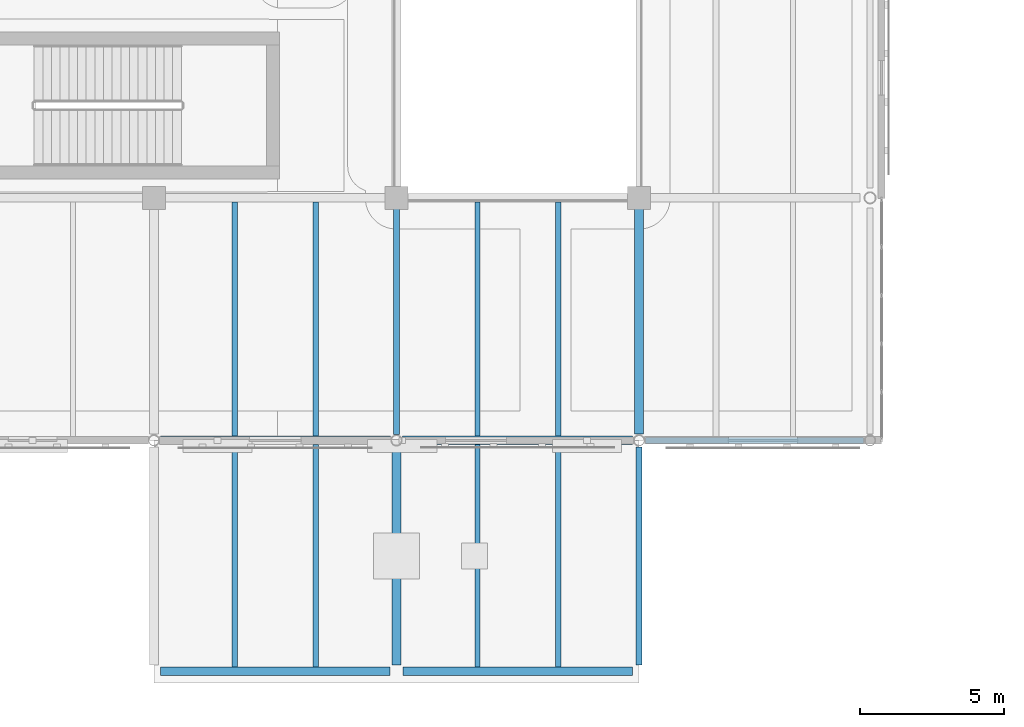
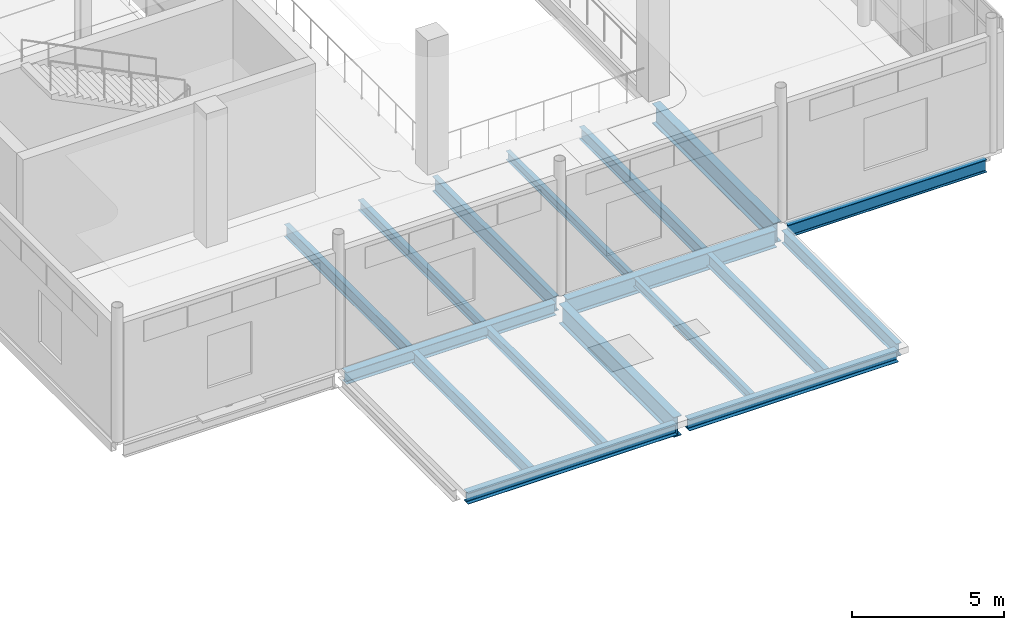
# One storey, part 35 of 110: 17 beams.
"""IFC4 building model written with IfcOpenShell, lengths in metres."""

import ifcopenshell
import ifcopenshell.guid

model = None  # the IFC model being written
_history = None  # IfcOwnerHistory: only IFC2X3 demands one
_inside = {}  # id of a spatial element -> (the spatial element, [elements in it])
_under = {}  # id of a project, library or spatial element -> (it, [spatial elements below it])
_declared = {}  # id of a project -> (the project, [libraries it declares])
_typed = {}  # id of a type object -> (the type object, [elements of that type])
_made_of = {}  # id of a material, layer set ... -> (it, [elements and type objects made of it])


def new_model(schema):
    """Start an empty IFC model of exactly this schema.

    Asked for "IFC4X3", IfcOpenShell would pick the latest addendum, in which some entities
    have other attributes; the version numbers below select the first issue.
    IFC2X3 requires an IfcOwnerHistory on every rooted entity: one is made here for all.
    """
    global model, _history
    if schema == "IFC4X3":
        model = ifcopenshell.file(schema_version=(4, 3, 0, 0))
    else:
        model = ifcopenshell.file(schema=schema)
    _inside.clear()
    _under.clear()
    _declared.clear()
    _typed.clear()
    _made_of.clear()
    _history = None
    if model.schema == "IFC2X3":
        org = make("IfcOrganization", Name="unknown")
        user = make(
            "IfcPersonAndOrganization",
            ThePerson=make("IfcPerson", FamilyName="unknown"),
            TheOrganization=org,
        )
        app = make(
            "IfcApplication",
            ApplicationDeveloper=org,
            Version="unknown",
            ApplicationFullName="unknown",
            ApplicationIdentifier="unknown",
        )
        _history = make(
            "IfcOwnerHistory",
            OwningUser=user,
            OwningApplication=app,
            ChangeAction="ADDED",
            CreationDate=0,
        )
    return model


def make(cls, **values):
    """One entity of the class cls with the attributes given. An attribute that is None is left unset."""
    return model.create_entity(
        cls, **{name: value for name, value in values.items() if value is not None}
    )


def rooted(cls, **values):
    """An entity with a GlobalId (a new one), such as an element, a storey or a relation."""
    return make(cls, GlobalId=ifcopenshell.guid.new(), OwnerHistory=_history, **values)


def si_unit(unit_type, name, prefix=None):
    """IfcSIUnit, for example si_unit("LENGTHUNIT", "METRE", prefix="MILLI")."""
    return make("IfcSIUnit", UnitType=unit_type, Prefix=prefix, Name=name)


def assignment(units):
    """IfcUnitAssignment: the units of a project."""
    return None if units is None else make("IfcUnitAssignment", Units=units)


def point(xyz):
    """IfcCartesianPoint."""
    return None if xyz is None else make("IfcCartesianPoint", Coordinates=xyz)


def direction(xyz):
    """IfcDirection."""
    return None if xyz is None else make("IfcDirection", DirectionRatios=xyz)


def frame(location, z_axis=None, x_axis=None):
    """IfcAxis2Placement3D, a coordinate frame: its origin and axes. An axis left out is left unset."""
    return make(
        "IfcAxis2Placement3D",
        Location=point(location),
        Axis=direction(z_axis),
        RefDirection=direction(x_axis),
    )


def frame_2d(location, x_axis=None):
    """IfcAxis2Placement2D, a coordinate frame in the plane: its origin and x axis."""
    return make(
        "IfcAxis2Placement2D", Location=point(location), RefDirection=direction(x_axis)
    )


def origin():
    """The frame at (0, 0, 0) with its axes left unset."""
    return frame((0.0, 0.0, 0.0))


def origin_2d():
    """The frame at (0, 0) in the plane with its x axis left unset."""
    return frame_2d((0.0, 0.0))


def place(relative_to, where):
    """IfcLocalPlacement: puts the frame where relative to a parent placement (None: the world)."""
    return make(
        "IfcLocalPlacement", PlacementRelTo=relative_to, RelativePlacement=where
    )


def context(
    kind, dimensions, precision=None, world=None, true_north=None, identifier=None
):
    """IfcGeometricRepresentationContext, for example the 3D "Model" context."""
    return make(
        "IfcGeometricRepresentationContext",
        ContextIdentifier=identifier,
        ContextType=kind,
        CoordinateSpaceDimension=dimensions,
        Precision=precision,
        WorldCoordinateSystem=world,
        TrueNorth=true_north,
    )


def subcontext(parent, identifier, kind, view, scale=None):
    """IfcGeometricRepresentationSubContext, for example "Body" below "Model"."""
    return make(
        "IfcGeometricRepresentationSubContext",
        ContextIdentifier=identifier,
        ContextType=kind,
        ParentContext=parent,
        TargetScale=scale,
        TargetView=view,
    )


def project(units=None, contexts=None):
    """IfcProject with its units and contexts."""
    return rooted(
        "IfcProject",
        Name="project",
        RepresentationContexts=contexts,
        UnitsInContext=assignment(units),
    )


def spatial(cls, under=None, at=None, **own):
    """A site, building, storey or space (cls), placed at a placement, below another one or the project."""
    s = rooted(cls, ObjectPlacement=at, **own)
    if under is not None:
        _under.setdefault(under.id(), (under, []))[1].append(s)
    return s


def profile(cls, at=None, kind="AREA", **sizes):
    """A parametric profile (cls). Its sizes go by their IFC names, for example OverallWidth=200.0."""
    return make(cls, ProfileType=kind, Position=at, **sizes)


def i_section(**sizes):
    """IfcIShapeProfileDef."""
    return profile("IfcIShapeProfileDef", **sizes)


def extrude(swept, where, along, depth):
    """IfcExtrudedAreaSolid: the profile swept, set in the frame where, extruded along a direction by depth."""
    return make(
        "IfcExtrudedAreaSolid",
        SweptArea=swept,
        Position=where,
        ExtrudedDirection=direction(along),
        Depth=depth,
    )


def shape(context_of_items, identifier, shape_type, items):
    """IfcShapeRepresentation: the items that make up one representation, for example the "Body"."""
    return make(
        "IfcShapeRepresentation",
        ContextOfItems=context_of_items,
        RepresentationIdentifier=identifier,
        RepresentationType=shape_type,
        Items=items,
    )


def material(Name=None, Category=None):
    """IfcMaterial."""
    return make("IfcMaterial", Name=Name, Category=Category)


def material_profile(
    of_material, cross_section, Name=None, Category=None, Priority=None
):
    """IfcMaterialProfile: a cross section and its material."""
    return make(
        "IfcMaterialProfile",
        Name=Name,
        Material=of_material,
        Profile=cross_section,
        Priority=Priority,
        Category=Category,
    )


def profile_set(profiles, Name=None, composite=None):
    """IfcMaterialProfileSet."""
    return make(
        "IfcMaterialProfileSet",
        Name=Name,
        MaterialProfiles=profiles,
        CompositeProfile=composite,
    )


def made_of(thing, what):
    """Note that an element or type object is made of a material, layer set ...; save() writes the relation."""
    if what is not None:
        _made_of.setdefault(what.id(), (what, []))[1].append(thing)
    return thing


def type_object(cls, material=None, **own):
    """A type object (cls), such as IfcWallType, which elements share."""
    return made_of(rooted(cls, **own), material)


def element(
    cls,
    number,
    at=None,
    inside=None,
    cuts=None,
    type_object=None,
    material=None,
    context=None,
    identifier="Body",
    shape_type=None,
    held_by="IfcProductDefinitionShape",
    body=None,
    shapes=None,
    **own,
):
    """One element of the class cls, such as IfcWall. Its Tag is "e" and its number.

    at: its placement. inside: the storey or other place that contains it. cuts: it is an
    opening in that element (IfcRelVoidsElement). A single representation is given by context,
    identifier, shape_type and body (its items); several are given by shapes. held_by: the class
    of the entity that holds the representations. save() writes the other relations.
    """
    e = rooted(cls, Tag="e%d" % number, ObjectPlacement=at, **own)
    if body is not None:
        shapes = [shape(context, identifier, shape_type, body)]
    if shapes is not None:
        e.Representation = make(held_by, Representations=shapes)
    if inside is not None:
        _inside.setdefault(inside.id(), (inside, []))[1].append(e)
    if cuts is not None:
        rooted(
            "IfcRelVoidsElement", RelatingBuildingElement=cuts, RelatedOpeningElement=e
        )
    if type_object is not None:
        _typed.setdefault(type_object.id(), (type_object, []))[1].append(e)
    return made_of(e, material)


def aggregate(whole, parts):
    """IfcRelAggregates: a whole, such as a stair, and the parts it consists of."""
    return rooted("IfcRelAggregates", RelatingObject=whole, RelatedObjects=parts)


def save(model, path):
    """Write the relations noted so far, then the file.

    IfcRelAggregates (storeys below a building ...), IfcRelContainedInSpatialStructure (elements
    in a storey), IfcRelDefinesByType, IfcRelAssociatesMaterial and IfcRelDeclares: one each for
    every whole, place, type object, material and project.
    """
    for whole, parts in _under.values():
        aggregate(whole, parts)
    for where, things in _inside.values():
        rooted(
            "IfcRelContainedInSpatialStructure",
            RelatedElements=things,
            RelatingStructure=where,
        )
    for kind, things in _typed.values():
        rooted("IfcRelDefinesByType", RelatedObjects=things, RelatingType=kind)
    for what, things in _made_of.values():
        rooted("IfcRelAssociatesMaterial", RelatedObjects=things, RelatingMaterial=what)
    for by, libraries in _declared.values():
        rooted("IfcRelDeclares", RelatingContext=by, RelatedDefinitions=libraries)
    model.write(path)


model = new_model("IFC4")

# Units and contexts
model_context = context("Model", 3, precision=1e-05, world=origin(), true_north=direction((0.0, 1.0)))
body_context = subcontext(model_context, "Body", "Model", "MODEL_VIEW")
ifc_project = project(units=[si_unit("LENGTHUNIT", "METRE"), si_unit("AREAUNIT", "SQUARE_METRE"), si_unit("VOLUMEUNIT", "CUBIC_METRE"), si_unit("PLANEANGLEUNIT", "RADIAN"), si_unit("MASSUNIT", "GRAM", prefix="KILO"), si_unit("THERMODYNAMICTEMPERATUREUNIT", "KELVIN")], contexts=[model_context])

# Site, building, storey
site_placement = place(None, origin())
site = spatial("IfcSite", under=ifc_project, at=site_placement, CompositionType="ELEMENT")
building_placement = place(site_placement, origin())
building = spatial("IfcBuilding", under=site, at=building_placement, Name="Lustrewick Department Store", CompositionType="ELEMENT")
storey_placement = place(building_placement, frame((0.0, 0.0, 6.0)))
storey = spatial("IfcBuildingStorey", under=building, at=storey_placement, Name="L02", CompositionType="ELEMENT", Elevation=6.0)

# Beams
ifc_material = material(Name="Structural steel Q355B", Category="steel")
ifc_material_profile_1 = material_profile(ifc_material, i_section(OverallWidth=0.199951171875, OverallDepth=0.5, WebThickness=0.010009765625, FlangeThickness=0.01611328125, FilletRadius=0.01611328125, at=origin_2d()), Name="HN 500x200x10x16")
ifc_profile_set_1 = profile_set([ifc_material_profile_1], Name="Structural steel Q355B")
beam_type_1 = type_object("IfcBeamType", Name="B01", PredefinedType="JOIST", material=ifc_profile_set_1)
beam_1_placement = place(storey_placement, frame((140.0, 0.550048828125, -0.5048828125), z_axis=(0.0, 1.0, 0.0), x_axis=(-1.0, 0.0, 0.0)))
element("IfcBeam", 1, at=beam_1_placement, inside=storey, type_object=beam_type_1, Name="L02 V3 Secondary Joist B01", PredefinedType="JOIST", context=body_context, shape_type="SweptSolid", body=[
    extrude(i_section(OverallWidth=0.199951171875, OverallDepth=0.5, WebThickness=0.010009765625, FlangeThickness=0.01611328125, FilletRadius=0.01611328125, at=origin_2d()), origin(), (0.0, 0.0, 1.0), 7.699951171875),
])
beam_2_placement = place(storey_placement, frame((140.0, 8.550048828125, -0.5048828125), z_axis=(0.0, 1.0, 0.0), x_axis=(-1.0, 0.0, 0.0)))
element("IfcBeam", 2, at=beam_2_placement, inside=storey, type_object=beam_type_1, Name="L02 V3 Secondary Joist B01", PredefinedType="JOIST", context=body_context, shape_type="SweptSolid", body=[
    extrude(i_section(OverallWidth=0.199951171875, OverallDepth=0.5, WebThickness=0.010009765625, FlangeThickness=0.01611328125, FilletRadius=0.01611328125, at=origin_2d()), origin(), (0.0, 0.0, 1.0), 8.099853515625),
])
ifc_material_profile_2 = material_profile(ifc_material, i_section(OverallWidth=0.198974609375, OverallDepth=0.49609375, WebThickness=0.009033203125, FlangeThickness=0.013916015625, FilletRadius=0.01611328125, at=origin_2d()), Name="HN 496x199x9x14")
ifc_profile_set_2 = profile_set([ifc_material_profile_2], Name="Structural steel Q355B")
beam_type_2 = type_object("IfcBeamType", Name="B02", PredefinedType="JOIST", material=ifc_profile_set_2)
beam_3_placement = place(storey_placement, frame((128.800048828125, 0.550048828125, -0.5029296875), z_axis=(0.0, 1.0, 0.0), x_axis=(-1.0, 0.0, 0.0)))
element("IfcBeam", 3, at=beam_3_placement, inside=storey, type_object=beam_type_2, Name="L02 V3 Secondary Joist B02", PredefinedType="JOIST", context=body_context, shape_type="SweptSolid", body=[
    extrude(i_section(OverallWidth=0.198974609375, OverallDepth=0.49609375, WebThickness=0.009033203125, FlangeThickness=0.013916015625, FilletRadius=0.01611328125, at=origin_2d()), origin(), (0.0, 0.0, 1.0), 7.699951171875),
])
beam_4_placement = place(storey_placement, frame((128.800048828125, 8.550048828125, -0.5029296875), z_axis=(0.0, 1.0, 0.0), x_axis=(-1.0, 0.0, 0.0)))
element("IfcBeam", 4, at=beam_4_placement, inside=storey, type_object=beam_type_2, Name="L02 V3 Secondary Joist B02", PredefinedType="JOIST", context=body_context, shape_type="SweptSolid", body=[
    extrude(i_section(OverallWidth=0.198974609375, OverallDepth=0.49609375, WebThickness=0.009033203125, FlangeThickness=0.013916015625, FilletRadius=0.01611328125, at=origin_2d()), origin(), (0.0, 0.0, 1.0), 8.099853515625),
])
ifc_material_profile_3 = material_profile(ifc_material, i_section(OverallWidth=0.198974609375, OverallDepth=0.39599609375, WebThickness=0.007080078125, FlangeThickness=0.010986328125, FilletRadius=0.013916015625, at=origin_2d()), Name="HN 396x199x7x11")
ifc_profile_set_3 = profile_set([ifc_material_profile_3], Name="Structural steel Q355B")
beam_type_3 = type_object("IfcBeamType", Name="B06", PredefinedType="JOIST", material=ifc_profile_set_3)
beam_5_placement = place(storey_placement, frame((131.60009765625, 0.550048828125, -0.452880859375), z_axis=(0.0, 1.0, 0.0), x_axis=(-1.0, 0.0, 0.0)))
element("IfcBeam", 5, at=beam_5_placement, inside=storey, type_object=beam_type_3, Name="L02 V3 Secondary Joist B06", PredefinedType="JOIST", context=body_context, shape_type="SweptSolid", body=[
    extrude(i_section(OverallWidth=0.198974609375, OverallDepth=0.39599609375, WebThickness=0.007080078125, FlangeThickness=0.010986328125, FilletRadius=0.013916015625, at=origin_2d()), origin(), (0.0, 0.0, 1.0), 7.699951171875),
])
beam_6_placement = place(storey_placement, frame((131.60009765625, 8.550048828125, -0.452880859375), z_axis=(0.0, 1.0, 0.0), x_axis=(-1.0, 0.0, 0.0)))
element("IfcBeam", 6, at=beam_6_placement, inside=storey, type_object=beam_type_3, Name="L02 V3 Secondary Joist B06", PredefinedType="JOIST", context=body_context, shape_type="SweptSolid", body=[
    extrude(i_section(OverallWidth=0.198974609375, OverallDepth=0.39599609375, WebThickness=0.007080078125, FlangeThickness=0.010986328125, FilletRadius=0.013916015625, at=origin_2d()), origin(), (0.0, 0.0, 1.0), 8.099853515625),
])
ifc_material_profile_4 = material_profile(ifc_material, i_section(OverallWidth=0.174072265625, OverallDepth=0.345947265625, WebThickness=0.006103515625, FlangeThickness=0.009033203125, FilletRadius=0.012939453125, at=origin_2d()), Name="HN 346x174x6x9")
ifc_profile_set_4 = profile_set([ifc_material_profile_4], Name="Structural steel Q355B")
beam_type_4 = type_object("IfcBeamType", Name="B10", PredefinedType="JOIST", material=ifc_profile_set_4)
beam_7_placement = place(storey_placement, frame((137.199951171875, 0.550048828125, -0.427978515625), z_axis=(0.0, 1.0, 0.0), x_axis=(-1.0, 0.0, 0.0)))
element("IfcBeam", 7, at=beam_7_placement, inside=storey, type_object=beam_type_4, Name="L02 V3 Secondary Joist B10", PredefinedType="JOIST", context=body_context, shape_type="SweptSolid", body=[
    extrude(i_section(OverallWidth=0.174072265625, OverallDepth=0.345947265625, WebThickness=0.006103515625, FlangeThickness=0.009033203125, FilletRadius=0.012939453125, at=origin_2d()), origin(), (0.0, 0.0, 1.0), 7.699951171875),
])
beam_8_placement = place(storey_placement, frame((137.199951171875, 8.550048828125, -0.427978515625), z_axis=(0.0, 1.0, 0.0), x_axis=(-1.0, 0.0, 0.0)))
element("IfcBeam", 8, at=beam_8_placement, inside=storey, type_object=beam_type_4, Name="L02 V3 Secondary Joist B10", PredefinedType="JOIST", context=body_context, shape_type="SweptSolid", body=[
    extrude(i_section(OverallWidth=0.174072265625, OverallDepth=0.345947265625, WebThickness=0.006103515625, FlangeThickness=0.009033203125, FilletRadius=0.012939453125, at=origin_2d()), origin(), (0.0, 0.0, 1.0), 8.099853515625),
])
ifc_material_profile_5 = material_profile(ifc_material, i_section(OverallWidth=0.300048828125, OverallDepth=0.800048828125, WebThickness=0.013916015625, FlangeThickness=0.02587890625, FilletRadius=0.02197265625, at=origin_2d()), Name="HN 800x300x14x26")
ifc_profile_set_5 = profile_set([ifc_material_profile_5], Name="Structural steel Q355B")
beam_type_5 = type_object("IfcBeamType", Name="G05", PredefinedType="BEAM", material=ifc_profile_set_5)
beam_9_placement = place(storey_placement, frame((142.800048828125, 8.62841796875, -0.655029296875), z_axis=(0.0, 1.0, 0.0), x_axis=(-1.0, 0.0, 0.0)))
element("IfcBeam", 9, at=beam_9_placement, inside=storey, type_object=beam_type_5, Name="L02 V3 Girder G05", PredefinedType="BEAM", context=body_context, shape_type="SweptSolid", body=[
    extrude(i_section(OverallWidth=0.300048828125, OverallDepth=0.800048828125, WebThickness=0.013916015625, FlangeThickness=0.02587890625, FilletRadius=0.02197265625, at=origin_2d()), origin(), (0.0, 0.0, 1.0), 7.9716796875),
])
ifc_material_profile_6 = material_profile(ifc_material, i_section(OverallWidth=0.300048828125, OverallDepth=0.7919921875, WebThickness=0.013916015625, FlangeThickness=0.02197265625, FilletRadius=0.02197265625, at=origin_2d()), Name="HN 792x300x14x22")
ifc_profile_set_6 = profile_set([ifc_material_profile_6], Name="Structural steel Q355B")
beam_type_6 = type_object("IfcBeamType", Name="G06", PredefinedType="BEAM", material=ifc_profile_set_6)
beam_10_placement = place(storey_placement, frame((134.39990234375, 0.62841796875, -0.65087890625), z_axis=(0.0, 1.0, 0.0), x_axis=(-1.0, 0.0, 0.0)))
element("IfcBeam", 10, at=beam_10_placement, inside=storey, type_object=beam_type_6, Name="L02 V3 Girder G06", PredefinedType="BEAM", context=body_context, shape_type="SweptSolid", body=[
    extrude(i_section(OverallWidth=0.300048828125, OverallDepth=0.7919921875, WebThickness=0.013916015625, FlangeThickness=0.02197265625, FilletRadius=0.02197265625, at=origin_2d()), origin(), (0.0, 0.0, 1.0), 7.564697265625),
])
ifc_material_profile_7 = material_profile(ifc_material, i_section(OverallWidth=0.300048828125, OverallDepth=0.69189453125, WebThickness=0.012939453125, FlangeThickness=0.02001953125, FilletRadius=0.02001953125, at=origin_2d()), Name="HN 692x300x13x20")
ifc_profile_set_7 = profile_set([ifc_material_profile_7], Name="Structural steel Q355B")
beam_type_7 = type_object("IfcBeamType", Name="G09", PredefinedType="BEAM", material=ifc_profile_set_7)
beam_11_placement = place(storey_placement, frame((134.6025390625, 8.39990234375, -0.60107421875), z_axis=(1.0, 0.0, 0.0), x_axis=(0.0, 1.0, 0.0)))
element("IfcBeam", 11, at=beam_11_placement, inside=storey, type_object=beam_type_7, Name="L02 V3 Girder G09", PredefinedType="BEAM", context=body_context, shape_type="SweptSolid", body=[
    extrude(i_section(OverallWidth=0.300048828125, OverallDepth=0.69189453125, WebThickness=0.012939453125, FlangeThickness=0.02001953125, FilletRadius=0.02001953125, at=origin_2d()), origin(), (0.0, 0.0, 1.0), 7.968994140625),
])
ifc_material_profile_8 = material_profile(ifc_material, i_section(OverallWidth=0.199951171875, OverallDepth=0.60009765625, WebThickness=0.010986328125, FlangeThickness=0.01708984375, FilletRadius=0.01806640625, at=origin_2d()), Name="HN 600x200x11x17")
ifc_profile_set_8 = profile_set([ifc_material_profile_8], Name="Structural steel Q355B")
beam_type_8 = type_object("IfcBeamType", Name="G14", PredefinedType="BEAM", material=ifc_profile_set_8)
beam_12_placement = place(storey_placement, frame((134.39990234375, 8.60693359375, -0.554931640625), z_axis=(0.0, 1.0, 0.0), x_axis=(-1.0, 0.0, 0.0)))
element("IfcBeam", 12, at=beam_12_placement, inside=storey, type_object=beam_type_8, Name="L02 V3 Girder G14", PredefinedType="BEAM", context=body_context, shape_type="SweptSolid", body=[
    extrude(i_section(OverallWidth=0.199951171875, OverallDepth=0.60009765625, WebThickness=0.010986328125, FlangeThickness=0.01708984375, FilletRadius=0.01806640625, at=origin_2d()), origin(), (0.0, 0.0, 1.0), 7.9931640625),
])
ifc_material_profile_9 = material_profile(ifc_material, i_section(OverallWidth=0.300048828125, OverallDepth=0.48193359375, WebThickness=0.010986328125, FlangeThickness=0.014892578125, FilletRadius=0.02197265625, at=origin_2d()), Name="HM 482x300x11x15")
ifc_profile_set_9 = profile_set([ifc_material_profile_9], Name="Structural steel Q355B")
beam_type_9 = type_object("IfcBeamType", Name="G20", PredefinedType="BEAM", material=ifc_profile_set_9)
beam_13_placement = place(storey_placement, frame((126.228515625, 8.39990234375, -0.49609375), z_axis=(1.0, 0.0, 0.0), x_axis=(0.0, 1.0, 0.0)))
element("IfcBeam", 13, at=beam_13_placement, inside=storey, type_object=beam_type_9, Name="L02 V3 Girder G20", PredefinedType="BEAM", context=body_context, shape_type="SweptSolid", body=[
    extrude(i_section(OverallWidth=0.300048828125, OverallDepth=0.48193359375, WebThickness=0.010986328125, FlangeThickness=0.014892578125, FilletRadius=0.02197265625, at=origin_2d()), origin(), (0.0, 0.0, 1.0), 7.968994140625),
])
ifc_material_profile_10 = material_profile(ifc_material, i_section(OverallWidth=0.200927734375, OverallDepth=0.506103515625, WebThickness=0.010986328125, FlangeThickness=0.01904296875, FilletRadius=0.01611328125, at=origin_2d()), Name="HN 506x201x11x19")
ifc_profile_set_10 = profile_set([ifc_material_profile_10], Name="Structural steel Q355B")
beam_type_10 = type_object("IfcBeamType", Name="SP01", PredefinedType="SPANDREL", material=ifc_profile_set_10)
for number, where, z_axis, x_axis, name in (
    (14, (143.028564453125, 8.39990234375, -0.508056640625), (1.0, 0.0, 0.0), (0.0, 1.0, 0.0), "L02 V3 Girder SP01"),
    (15, (142.800048828125, 0.62841796875, -0.508056640625), (0.0, 1.0, 0.0), (-1.0, 0.0, 0.0), "L02 V3 Girder SP01"),
):
    element("IfcBeam", number, at=place(storey_placement, frame(where, z_axis=z_axis, x_axis=x_axis)), inside=storey, type_object=beam_type_10, Name=name, PredefinedType="SPANDREL", context=body_context, shape_type="SweptSolid", body=[
        extrude(i_section(OverallWidth=0.200927734375, OverallDepth=0.506103515625, WebThickness=0.010986328125, FlangeThickness=0.01904296875, FilletRadius=0.01611328125, at=origin_2d()), origin(), (0.0, 0.0, 1.0), 7.54296875),
    ])
ifc_material_profile_11 = material_profile(ifc_material, i_section(OverallWidth=0.300048828125, OverallDepth=0.43994140625, WebThickness=0.010986328125, FlangeThickness=0.01806640625, FilletRadius=0.02001953125, at=origin_2d()), Name="HM 440x300x11x18")
ifc_profile_set_11 = profile_set([ifc_material_profile_11], Name="Structural steel Q355B")
beam_type_11 = type_object("IfcBeamType", Name="SP02", PredefinedType="SPANDREL", material=ifc_profile_set_11)
beam_14_placement = place(storey_placement, frame((126.228515625, 0.39990234375, -0.47509765625), z_axis=(1.0, 0.0, 0.0), x_axis=(0.0, 1.0, 0.0)))
element("IfcBeam", 16, at=beam_14_placement, inside=storey, type_object=beam_type_11, Name="L02 V3 Girder SP02", PredefinedType="SPANDREL", context=body_context, shape_type="SweptSolid", body=[
    extrude(i_section(OverallWidth=0.300048828125, OverallDepth=0.43994140625, WebThickness=0.010986328125, FlangeThickness=0.01806640625, FilletRadius=0.02001953125, at=origin_2d()), origin(), (0.0, 0.0, 1.0), 7.94287109375),
])
beam_15_placement = place(storey_placement, frame((134.62841796875, 0.39990234375, -0.47509765625), z_axis=(1.0, 0.0, 0.0), x_axis=(0.0, 1.0, 0.0)))
element("IfcBeam", 17, at=beam_15_placement, inside=storey, type_object=beam_type_11, Name="L02 V3 Girder SP02", PredefinedType="SPANDREL", context=body_context, shape_type="SweptSolid", body=[
    extrude(i_section(OverallWidth=0.300048828125, OverallDepth=0.43994140625, WebThickness=0.010986328125, FlangeThickness=0.01806640625, FilletRadius=0.02001953125, at=origin_2d()), origin(), (0.0, 0.0, 1.0), 7.943115234375),
])

save(model, "model.ifc")
